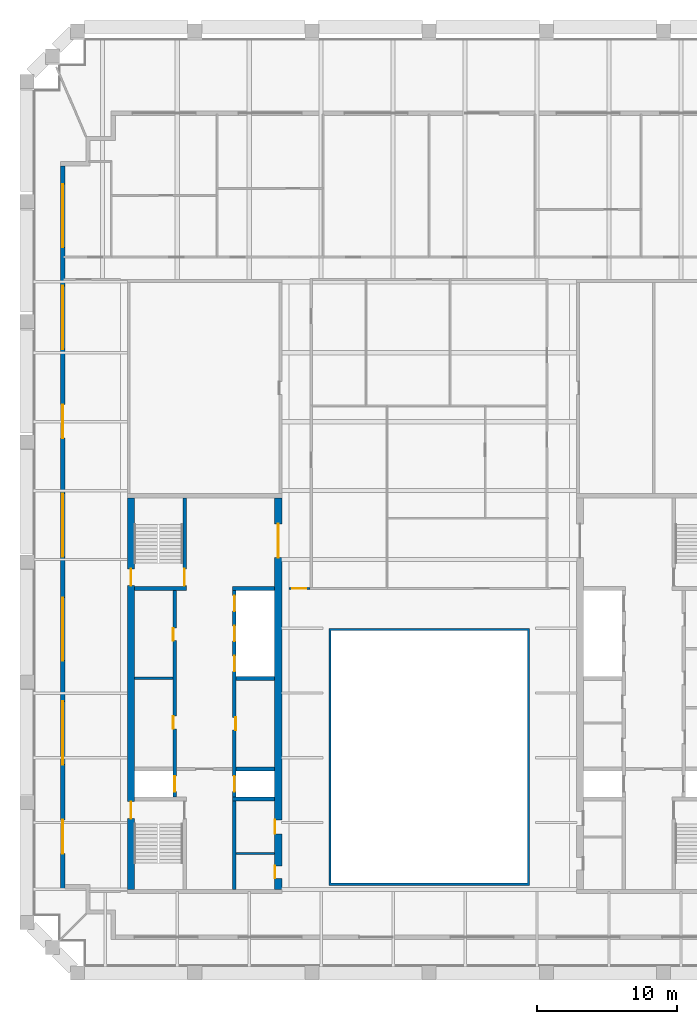
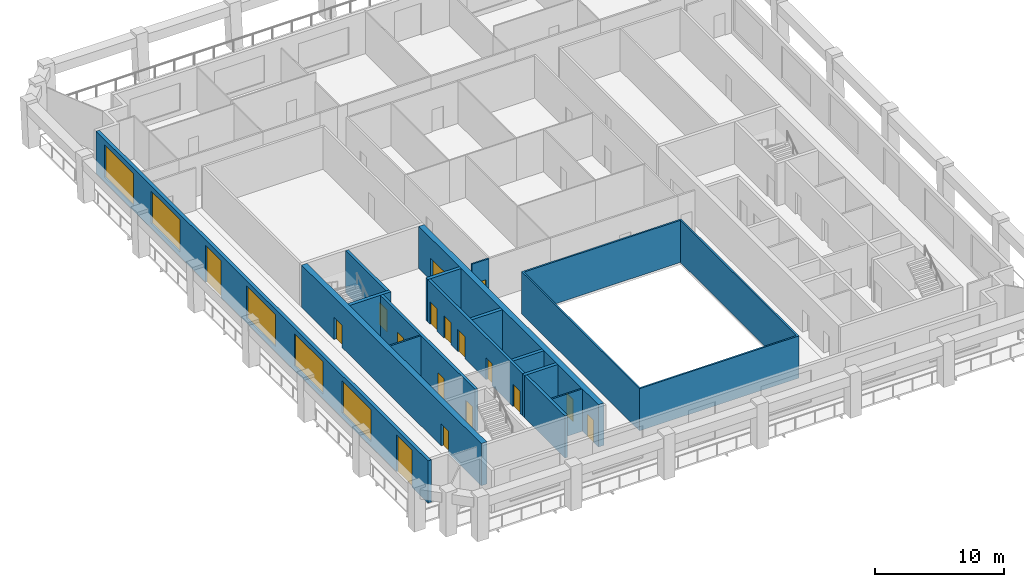
# One storey, part 3 of 8: 17 doors, 15 walls, 5 windows, 22 openings.
"""IFC4 building model written with IfcOpenShell, lengths in metres."""

from ifc_helpers import new_model, si_unit, direction, frame, frame_2d, origin, place, context, subcontext, project, spatial, polyline, rectangle, outline, extrude, material, layer, layer_set, type_object, element, fill, save


model = new_model("IFC4")

# Units and contexts
model_context = context("Model", 3, precision=1e-05, world=origin(), true_north=direction((0.0, 1.0)))
body_context = subcontext(model_context, "Body", "Model", "MODEL_VIEW")
ifc_project = project(units=[si_unit("LENGTHUNIT", "METRE"), si_unit("AREAUNIT", "SQUARE_METRE"), si_unit("VOLUMEUNIT", "CUBIC_METRE"), si_unit("PLANEANGLEUNIT", "RADIAN"), si_unit("MASSUNIT", "GRAM", prefix="KILO")], contexts=[model_context])

# Site, building, storey
site_placement = place(None, origin())
site = spatial("IfcSite", under=ifc_project, at=site_placement, CompositionType="ELEMENT")
building_placement = place(site_placement, origin())
building = spatial("IfcBuilding", under=site, at=building_placement, Name="Ogive Exchange Tower", CompositionType="ELEMENT")
storey_placement = place(building_placement, frame((0.0, 0.0, 338.39990234375)))
storey = spatial("IfcBuildingStorey", under=building, at=storey_placement, Name="L74", CompositionType="ELEMENT", Elevation=338.39990234375)

# Walls
ifc_material_1 = material(Name="Gypsum board partition")
ifc_layer_1 = layer(ifc_material_1, 0.14990234375)
ifc_layer_set_1 = layer_set([ifc_layer_1], Name="Core room partition 150 gypsum")
wall_type_1 = type_object("IfcWallType", Name="Core room partition 150 gypsum", PredefinedType="PARTITIONING", material=ifc_layer_set_1)
for number, where, z_axis, x_axis, name in (
    (1, (-21.0, 12.60009765625, 0.0), (0.0, 0.0, 1.0), (1.0, 0.0, 0.0), "W row A bay partition 1-1"),
    (2, (-13.75, 0.10009765625, 0.0), (0.0, 0.0, 1.0), (1.0, 0.0, 0.0), "W south room partition"),
):
    element("IfcWall", number, at=place(storey_placement, frame(where, z_axis=z_axis, x_axis=x_axis)), inside=storey, type_object=wall_type_1, Name=name, PredefinedType="PARTITIONING", context=body_context, shape_type="SweptSolid", body=[
        extrude(rectangle(XDim=2.75, YDim=0.14990234375, at=frame_2d((1.375, 0.0))), origin(), (0.0, 0.0, 1.0), 4.0),
    ])

# Wall, opening, door
ifc_material_2 = material(Name="Fire partition EI 60 150")
ifc_layer_2 = layer(ifc_material_2, 0.14990234375)
ifc_layer_set_2 = layer_set([ifc_layer_2], Name="Fire partition EI 60 150")
wall_type_2 = type_object("IfcWallType", Name="Fire partition EI 60 150", PredefinedType="PARTITIONING", material=ifc_layer_set_2)
wall_1_placement = place(storey_placement, frame((-10.0, 19.0, 0.0), z_axis=(0.0, 0.0, 1.0), x_axis=(1.0, 0.0, 0.0)))
wall_1 = element("IfcWall", 3, at=wall_1_placement, inside=storey, type_object=wall_type_2, Name="L74-PWL-055", PredefinedType="PARTITIONING", context=body_context, shape_type="SweptSolid", body=[
    extrude(rectangle(XDim=1.514892578125, YDim=0.14990234375, at=frame_2d((0.75732421875, 0.0))), origin(), (0.0, 0.0, 1.0), 4.0),
])
opening_1_placement = place(wall_1_placement, frame((0.258056640625, 0.0, 0.0)))
opening_1 = element("IfcOpeningElement", 4, at=opening_1_placement, cuts=wall_1, Name="Opening L74-I21", PredefinedType="OPENING", context=body_context, shape_type="SweptSolid", body=[
    extrude(rectangle(XDim=1.0, YDim=2.10009765625, at=frame_2d((0.5, 1.050048828125))), frame((0.0, 0.0849609375, 0.0), z_axis=(0.0, -1.0, 0.0), x_axis=(1.0, 0.0, 0.0)), (0.0, 0.0, 1.0), 0.169921875),
])
ifc_material_3 = material(Name="Fire door FD 30S 1000 x 2100")
door_type_1 = type_object("IfcDoorType", Name="Fire door FD 30S 1000 x 2100", OperationType="NOTDEFINED", PredefinedType="DOOR", material=ifc_material_3)
door_1_placement = place(opening_1_placement, origin())
door_1 = element("IfcDoor", 5, at=door_1_placement, inside=storey, type_object=door_type_1, Name="L74-IDR-021", ObjectType="DT3", OperationType="SINGLE_SWING_LEFT", OverallHeight=2.10009765625, OverallWidth=1.0, PredefinedType="DOOR", context=body_context, shape_type="SweptSolid", body=[
    extrude(rectangle(XDim=1.0, YDim=2.10009765625, at=frame_2d((0.5, 1.050048828125))), frame((0.0, 0.02490234375, 0.0), z_axis=(0.0, -1.0, 0.0), x_axis=(1.0, 0.0, 0.0)), (0.0, 0.0, 1.0), 0.050048828125),
])
fill(opening_1, door_1)

# Wall
ifc_material_4 = material(Name="Fire-resisting glass in steel frame", Category="steel")
ifc_layer_3 = layer(ifc_material_4, 0.14990234375)
ifc_layer_set_3 = layer_set([ifc_layer_3], Name="Fire-rated glazed wall 150")
wall_type_3 = type_object("IfcWallType", Name="Fire-rated glazed wall 150", PredefinedType="STANDARD", material=ifc_layer_set_3)
wall_2_placement = place(storey_placement, origin())
element("IfcWall", 6, at=wall_2_placement, inside=storey, type_object=wall_type_3, Name="Nave enclosure wall", PredefinedType="STANDARD", context=body_context, shape_type="SweptSolid", body=[
    extrude(outline(polyline([(-7.14990234375, -2.14990234375), (7.14990234375, -2.14990234375), (7.14990234375, 16.14990234375), (-7.14990234375, 16.14990234375), (-7.14990234375, -2.14990234375)]), holes=[polyline([(-7.0, -2.0), (-7.0, 16.0), (7.0, 16.0), (7.0, -2.0), (-7.0, -2.0)])]), origin(), (0.0, 0.0, 1.0), 4.0),
])

# Wall, openings, doors, windows
ifc_material_5 = material(Name="Precast concrete C40/50", Category="concrete")
ifc_layer_4 = layer(ifc_material_5, 0.300048828125)
ifc_layer_set_4 = layer_set([ifc_layer_4], Name="Limestone-faced wall 300")
wall_type_4 = type_object("IfcWallType", Name="Limestone-faced wall 300", PredefinedType="STANDARD", material=ifc_layer_set_4)
wall_3_placement = place(storey_placement, frame((-26.10009765625, 49.10009765625, 0.0), z_axis=(0.0, 0.0, 1.0), x_axis=(0.0, -1.0, 0.0)))
wall_3 = element("IfcWall", 7, at=wall_3_placement, inside=storey, type_object=wall_type_4, Name="External wall W4", PredefinedType="STANDARD", context=body_context, shape_type="SweptSolid", body=[
    extrude(rectangle(XDim=51.5, YDim=0.300048828125, at=frame_2d((25.75, 0.0))), origin(), (0.0, 0.0, 1.0), 4.0),
])
opening_2_placement = place(wall_3_placement, frame((1.300048828125, 0.0, 0.449951171875)))
opening_2 = element("IfcOpeningElement", 8, at=opening_2_placement, cuts=wall_3, Name="Opening W1", PredefinedType="OPENING", context=body_context, shape_type="SweptSolid", body=[
    extrude(rectangle(XDim=4.5, YDim=3.050048828125, at=frame_2d((2.25, 1.52490234375))), frame((0.0, 0.159912109375, 0.0), z_axis=(0.0, -1.0, 0.0), x_axis=(1.0, 0.0, 0.0)), (0.0, 0.0, 1.0), 0.320068359375),
])
opening_3_placement = place(wall_3_placement, frame((8.550048828125, 0.0, 0.449951171875)))
opening_3 = element("IfcOpeningElement", 9, at=opening_3_placement, cuts=wall_3, Name="Opening W1", PredefinedType="OPENING", context=body_context, shape_type="SweptSolid", body=[
    extrude(rectangle(XDim=4.5, YDim=3.050048828125, at=frame_2d((2.25, 1.52490234375))), frame((0.0, 0.159912109375, 0.0), z_axis=(0.0, -1.0, 0.0), x_axis=(1.0, 0.0, 0.0)), (0.0, 0.0, 1.0), 0.320068359375),
])
opening_4_placement = place(wall_3_placement, frame((17.0, 0.0, 0.0)))
opening_4 = element("IfcOpeningElement", 10, at=opening_4_placement, cuts=wall_3, Name="Opening D1", PredefinedType="OPENING", context=body_context, shape_type="SweptSolid", body=[
    extrude(rectangle(XDim=2.39990234375, YDim=3.5, at=frame_2d((1.199951171875, 1.75))), frame((0.0, 0.159912109375, 0.0), z_axis=(0.0, -1.0, 0.0), x_axis=(1.0, 0.0, 0.0)), (0.0, 0.0, 1.0), 0.320068359375),
])
opening_5_placement = place(wall_3_placement, frame((23.35009765625, 0.0, 0.449951171875)))
opening_5 = element("IfcOpeningElement", 11, at=opening_5_placement, cuts=wall_3, Name="Opening W1", PredefinedType="OPENING", context=body_context, shape_type="SweptSolid", body=[
    extrude(rectangle(XDim=4.5, YDim=3.050048828125, at=frame_2d((2.25, 1.52490234375))), frame((0.0, 0.159912109375, 0.0), z_axis=(0.0, -1.0, 0.0), x_axis=(1.0, 0.0, 0.0)), (0.0, 0.0, 1.0), 0.320068359375),
])
opening_6_placement = place(wall_3_placement, frame((30.75, 0.0, 0.449951171875)))
opening_6 = element("IfcOpeningElement", 12, at=opening_6_placement, cuts=wall_3, Name="Opening W1", PredefinedType="OPENING", context=body_context, shape_type="SweptSolid", body=[
    extrude(rectangle(XDim=4.5, YDim=3.050048828125, at=frame_2d((2.25, 1.52490234375))), frame((0.0, 0.159912109375, 0.0), z_axis=(0.0, -1.0, 0.0), x_axis=(1.0, 0.0, 0.0)), (0.0, 0.0, 1.0), 0.320068359375),
])
opening_7_placement = place(wall_3_placement, frame((38.14990234375, 0.0, 0.449951171875)))
opening_7 = element("IfcOpeningElement", 13, at=opening_7_placement, cuts=wall_3, Name="Opening W1", PredefinedType="OPENING", context=body_context, shape_type="SweptSolid", body=[
    extrude(rectangle(XDim=4.5, YDim=3.050048828125, at=frame_2d((2.25, 1.52490234375))), frame((0.0, 0.159912109375, 0.0), z_axis=(0.0, -1.0, 0.0), x_axis=(1.0, 0.0, 0.0)), (0.0, 0.0, 1.0), 0.320068359375),
])
opening_8_placement = place(wall_3_placement, frame((46.60009765625, 0.0, 0.0)))
opening_8 = element("IfcOpeningElement", 14, at=opening_8_placement, cuts=wall_3, Name="Opening D1", PredefinedType="OPENING", context=body_context, shape_type="SweptSolid", body=[
    extrude(rectangle(XDim=2.39990234375, YDim=3.5, at=frame_2d((1.199951171875, 1.75))), frame((0.0, 0.159912109375, 0.0), z_axis=(0.0, -1.0, 0.0), x_axis=(1.0, 0.0, 0.0)), (0.0, 0.0, 1.0), 0.320068359375),
])
ifc_material_6 = material(Name="Clear glass in bronze frame", Category="glass")
door_type_2 = type_object("IfcDoorType", Name="Sliding loggia door 2400 x 3500", OperationType="DOUBLE_DOOR_SLIDING", PredefinedType="DOOR", material=ifc_material_6)
door_2_placement = place(opening_4_placement, origin())
door_2 = element("IfcDoor", 15, at=door_2_placement, inside=storey, type_object=door_type_2, Name="Loggia door W02", OperationType="DOUBLE_DOOR_SLIDING", OverallHeight=3.5, OverallWidth=2.39990234375, PredefinedType="DOOR", context=body_context, shape_type="SweptSolid", body=[
    extrude(rectangle(XDim=2.39990234375, YDim=3.5, at=frame_2d((1.199951171875, 1.75))), frame((0.0, 0.02490234375, 0.0), z_axis=(0.0, -1.0, 0.0), x_axis=(1.0, 0.0, 0.0)), (0.0, 0.0, 1.0), 0.050048828125),
])
fill(opening_4, door_2)
door_3_placement = place(opening_8_placement, origin())
door_3 = element("IfcDoor", 16, at=door_3_placement, inside=storey, type_object=door_type_2, Name="Loggia door W06", OperationType="DOUBLE_DOOR_SLIDING", OverallHeight=3.5, OverallWidth=2.39990234375, PredefinedType="DOOR", context=body_context, shape_type="SweptSolid", body=[
    extrude(rectangle(XDim=2.39990234375, YDim=3.5, at=frame_2d((1.199951171875, 1.75))), frame((0.0, 0.02490234375, 0.0), z_axis=(0.0, -1.0, 0.0), x_axis=(1.0, 0.0, 0.0)), (0.0, 0.0, 1.0), 0.050048828125),
])
fill(opening_8, door_3)
window_type = type_object("IfcWindowType", Name="Twin lancet window 4500 x 3050", PartitioningType="DOUBLE_PANEL_VERTICAL", PredefinedType="WINDOW", material=ifc_material_6)
window_1_placement = place(opening_2_placement, origin())
window_1 = element("IfcWindow", 17, at=window_1_placement, inside=storey, type_object=window_type, Name="Window W00", OverallHeight=3.050048828125, OverallWidth=4.5, PartitioningType="DOUBLE_PANEL_VERTICAL", PredefinedType="WINDOW", context=body_context, shape_type="SweptSolid", body=[
    extrude(rectangle(XDim=4.5, YDim=3.050048828125, at=frame_2d((2.25, 1.52490234375))), frame((0.0, 0.030029296875, 0.0), z_axis=(0.0, -1.0, 0.0), x_axis=(1.0, 0.0, 0.0)), (0.0, 0.0, 1.0), 0.06005859375),
])
fill(opening_2, window_1)
window_2_placement = place(opening_3_placement, origin())
window_2 = element("IfcWindow", 18, at=window_2_placement, inside=storey, type_object=window_type, Name="Window W01", OverallHeight=3.050048828125, OverallWidth=4.5, PartitioningType="DOUBLE_PANEL_VERTICAL", PredefinedType="WINDOW", context=body_context, shape_type="SweptSolid", body=[
    extrude(rectangle(XDim=4.5, YDim=3.050048828125, at=frame_2d((2.25, 1.52490234375))), frame((0.0, 0.030029296875, 0.0), z_axis=(0.0, -1.0, 0.0), x_axis=(1.0, 0.0, 0.0)), (0.0, 0.0, 1.0), 0.06005859375),
])
fill(opening_3, window_2)
window_3_placement = place(opening_5_placement, origin())
window_3 = element("IfcWindow", 19, at=window_3_placement, inside=storey, type_object=window_type, Name="Window W03", OverallHeight=3.050048828125, OverallWidth=4.5, PartitioningType="DOUBLE_PANEL_VERTICAL", PredefinedType="WINDOW", context=body_context, shape_type="SweptSolid", body=[
    extrude(rectangle(XDim=4.5, YDim=3.050048828125, at=frame_2d((2.25, 1.52490234375))), frame((0.0, 0.030029296875, 0.0), z_axis=(0.0, -1.0, 0.0), x_axis=(1.0, 0.0, 0.0)), (0.0, 0.0, 1.0), 0.06005859375),
])
fill(opening_5, window_3)
window_4_placement = place(opening_6_placement, origin())
window_4 = element("IfcWindow", 20, at=window_4_placement, inside=storey, type_object=window_type, Name="Window W04", OverallHeight=3.050048828125, OverallWidth=4.5, PartitioningType="DOUBLE_PANEL_VERTICAL", PredefinedType="WINDOW", context=body_context, shape_type="SweptSolid", body=[
    extrude(rectangle(XDim=4.5, YDim=3.050048828125, at=frame_2d((2.25, 1.52490234375))), frame((0.0, 0.030029296875, 0.0), z_axis=(0.0, -1.0, 0.0), x_axis=(1.0, 0.0, 0.0)), (0.0, 0.0, 1.0), 0.06005859375),
])
fill(opening_6, window_4)
window_5_placement = place(opening_7_placement, origin())
window_5 = element("IfcWindow", 21, at=window_5_placement, inside=storey, type_object=window_type, Name="Window W05", OverallHeight=3.050048828125, OverallWidth=4.5, PartitioningType="DOUBLE_PANEL_VERTICAL", PredefinedType="WINDOW", context=body_context, shape_type="SweptSolid", body=[
    extrude(rectangle(XDim=4.5, YDim=3.050048828125, at=frame_2d((2.25, 1.52490234375))), frame((0.0, 0.030029296875, 0.0), z_axis=(0.0, -1.0, 0.0), x_axis=(1.0, 0.0, 0.0)), (0.0, 0.0, 1.0), 0.06005859375),
])
fill(opening_7, window_5)

# Wall, opening, door
ifc_material_7 = material(Name="Concrete C70/85", Category="concrete")
ifc_layer_5 = layer(ifc_material_7, 0.25)
ifc_layer_set_5 = layer_set([ifc_layer_5], Name="RC core wall 250 C70/85")
wall_type_5 = type_object("IfcWallType", Name="RC core wall 250 C70/85", PredefinedType="SHEAR", material=ifc_layer_set_5)
wall_4_placement = place(storey_placement, frame((-17.425048828125, 19.14990234375, 0.0), z_axis=(0.0, 0.0, 1.0), x_axis=(0.0, 1.0, 0.0)))
wall_4 = element("IfcWall", 22, at=wall_4_placement, inside=storey, type_object=wall_type_5, Name="W stair N front wall", PredefinedType="SHEAR", context=body_context, shape_type="SweptSolid", body=[
    extrude(rectangle(XDim=6.300048828125, YDim=0.25, at=frame_2d((3.14990234375, 0.0))), origin(), (0.0, 0.0, 1.0), 4.0),
])
opening_9_placement = place(wall_4_placement, frame((0.050048828125, 0.0, 0.0)))
opening_9 = element("IfcOpeningElement", 23, at=opening_9_placement, cuts=wall_4, Name="Opening L74-C13", PredefinedType="OPENING", context=body_context, shape_type="SweptSolid", body=[
    extrude(rectangle(XDim=1.199951171875, YDim=2.10009765625, at=frame_2d((0.60009765625, 1.050048828125))), frame((0.0, 0.135009765625, 0.0), z_axis=(0.0, -1.0, 0.0), x_axis=(1.0, 0.0, 0.0)), (0.0, 0.0, 1.0), 0.27001953125),
])
ifc_material_8 = material(Name="Steel fire door", Category="steel")
door_type_3 = type_object("IfcDoorType", Name="Stair door FD90 1200 x 2100", OperationType="NOTDEFINED", PredefinedType="DOOR", material=ifc_material_8)
door_4_placement = place(opening_9_placement, origin())
door_4 = element("IfcDoor", 24, at=door_4_placement, inside=storey, type_object=door_type_3, Name="Stair door", ObjectType="CD5", OperationType="SINGLE_SWING_RIGHT", OverallHeight=2.10009765625, OverallWidth=1.199951171875, PredefinedType="DOOR", context=body_context, shape_type="SweptSolid", body=[
    extrude(rectangle(XDim=1.199951171875, YDim=2.10009765625, at=frame_2d((0.60009765625, 1.050048828125))), frame((0.0, 0.02490234375, 0.0), z_axis=(0.0, -1.0, 0.0), x_axis=(1.0, 0.0, 0.0)), (0.0, 0.0, 1.0), 0.050048828125),
])
fill(opening_9, door_4)

# Wall, openings, doors
wall_5_placement = place(storey_placement, frame((-18.125, 4.14990234375, 0.0), z_axis=(0.0, 0.0, 1.0), x_axis=(0.0, 1.0, 0.0)))
wall_5 = element("IfcWall", 25, at=wall_5_placement, inside=storey, type_object=wall_type_5, Name="W row A front wall", PredefinedType="SHEAR", context=body_context, shape_type="SweptSolid", body=[
    extrude(rectangle(XDim=14.7001953125, YDim=0.25, at=frame_2d((7.35009765625, 0.0))), origin(), (0.0, 0.0, 1.0), 4.0),
])
opening_10_placement = place(wall_5_placement, frame((4.846435546875, 0.0, 0.0)))
opening_10 = element("IfcOpeningElement", 26, at=opening_10_placement, cuts=wall_5, Name="Opening L74-C01", PredefinedType="OPENING", context=body_context, shape_type="SweptSolid", body=[
    extrude(rectangle(XDim=0.89990234375, YDim=2.10009765625, at=frame_2d((0.449951171875, 1.050048828125))), frame((0.0, 0.135009765625, 0.0), z_axis=(0.0, -1.0, 0.0), x_axis=(1.0, 0.0, 0.0)), (0.0, 0.0, 1.0), 0.27001953125),
])
opening_11_placement = place(wall_5_placement, frame((11.125, 0.0, 0.0)))
opening_11 = element("IfcOpeningElement", 27, at=opening_11_placement, cuts=wall_5, Name="Opening L74-C02", PredefinedType="OPENING", context=body_context, shape_type="SweptSolid", body=[
    extrude(rectangle(XDim=0.89990234375, YDim=2.10009765625, at=frame_2d((0.449951171875, 1.050048828125))), frame((0.0, 0.135009765625, 0.0), z_axis=(0.0, -1.0, 0.0), x_axis=(1.0, 0.0, 0.0)), (0.0, 0.0, 1.0), 0.27001953125),
])
opening_12_placement = place(wall_5_placement, frame((0.371337890625, 0.0, 0.0)))
opening_12 = element("IfcOpeningElement", 28, at=opening_12_placement, cuts=wall_5, Name="Opening L74-C03", PredefinedType="OPENING", context=body_context, shape_type="SweptSolid", body=[
    extrude(rectangle(XDim=1.10009765625, YDim=2.10009765625, at=frame_2d((0.550048828125, 1.050048828125))), frame((0.0, 0.135009765625, 0.0), z_axis=(0.0, -1.0, 0.0), x_axis=(1.0, 0.0, 0.0)), (0.0, 0.0, 1.0), 0.27001953125),
])
ifc_material_9 = material(Name="Stainless steel", Category="steel")
door_type_4 = type_object("IfcDoorType", Name="Lift landing door FD90 1100 x 2100", OperationType="SLIDING_TO_LEFT", PredefinedType="DOOR", material=ifc_material_9)
door_5_placement = place(opening_12_placement, origin())
door_5 = element("IfcDoor", 29, at=door_5_placement, inside=storey, type_object=door_type_4, Name="Lift landing door FF1", ObjectType="LD", OperationType="SLIDING_TO_LEFT", OverallHeight=2.10009765625, OverallWidth=1.10009765625, PredefinedType="DOOR", context=body_context, shape_type="SweptSolid", body=[
    extrude(rectangle(XDim=1.10009765625, YDim=2.10009765625, at=frame_2d((0.550048828125, 1.050048828125))), frame((0.0, 0.02490234375, 0.0), z_axis=(0.0, -1.0, 0.0), x_axis=(1.0, 0.0, 0.0)), (0.0, 0.0, 1.0), 0.050048828125),
])
fill(opening_12, door_5)
door_type_5 = type_object("IfcDoorType", Name="Riser door FD60 900 x 2100", OperationType="NOTDEFINED", PredefinedType="DOOR", material=ifc_material_8)
door_6_placement = place(opening_10_placement, origin())
door_6 = element("IfcDoor", 30, at=door_6_placement, inside=storey, type_object=door_type_5, Name="Riser door", ObjectType="CD2", OperationType="SINGLE_SWING_LEFT", OverallHeight=2.10009765625, OverallWidth=0.89990234375, PredefinedType="DOOR", context=body_context, shape_type="SweptSolid", body=[
    extrude(rectangle(XDim=0.89990234375, YDim=2.10009765625, at=frame_2d((0.449951171875, 1.050048828125))), frame((0.0, 0.125, 0.0), z_axis=(0.0, -1.0, 0.0), x_axis=(1.0, 0.0, 0.0)), (0.0, 0.0, 1.0), 0.050048828125),
])
fill(opening_10, door_6)
door_7_placement = place(opening_11_placement, origin())
door_7 = element("IfcDoor", 31, at=door_7_placement, inside=storey, type_object=door_type_5, Name="Riser door", ObjectType="CD2", OperationType="SINGLE_SWING_LEFT", OverallHeight=2.10009765625, OverallWidth=0.89990234375, PredefinedType="DOOR", context=body_context, shape_type="SweptSolid", body=[
    extrude(rectangle(XDim=0.89990234375, YDim=2.10009765625, at=frame_2d((0.449951171875, 1.050048828125))), frame((0.0, 0.125, 0.0), z_axis=(0.0, -1.0, 0.0), x_axis=(1.0, 0.0, 0.0)), (0.0, 0.0, 1.0), 0.050048828125),
])
fill(opening_11, door_7)

wall_6_placement = place(storey_placement, frame((-13.875, -2.449951171875, 0.0), z_axis=(0.0, 0.0, 1.0), x_axis=(0.0, 1.0, 0.0)))
wall_6 = element("IfcWall", 32, at=wall_6_placement, inside=storey, type_object=wall_type_5, Name="W row B front wall", PredefinedType="SHEAR", context=body_context, shape_type="SweptSolid", body=[
    extrude(rectangle(XDim=21.300048828125, YDim=0.25, at=frame_2d((10.64990234375, 0.0))), origin(), (0.0, 0.0, 1.0), 4.0),
])
opening_13_placement = place(wall_6_placement, frame((11.357177734375, 0.0, 0.0)))
opening_13 = element("IfcOpeningElement", 33, at=opening_13_placement, cuts=wall_6, Name="Opening L74-C04", PredefinedType="OPENING", context=body_context, shape_type="SweptSolid", body=[
    extrude(rectangle(XDim=0.89990234375, YDim=2.10009765625, at=frame_2d((0.449951171875, 1.050048828125))), frame((0.0, 0.135009765625, 0.0), z_axis=(0.0, -1.0, 0.0), x_axis=(1.0, 0.0, 0.0)), (0.0, 0.0, 1.0), 0.27001953125),
])
opening_14_placement = place(wall_6_placement, frame((6.971435546875, 0.0, 0.0)))
opening_14 = element("IfcOpeningElement", 34, at=opening_14_placement, cuts=wall_6, Name="Opening L74-C05", PredefinedType="OPENING", context=body_context, shape_type="SweptSolid", body=[
    extrude(rectangle(XDim=1.10009765625, YDim=2.10009765625, at=frame_2d((0.550048828125, 1.050048828125))), frame((0.0, 0.135009765625, 0.0), z_axis=(0.0, -1.0, 0.0), x_axis=(1.0, 0.0, 0.0)), (0.0, 0.0, 1.0), 0.27001953125),
])
opening_15_placement = place(wall_6_placement, frame((15.54296875, 0.0, 0.0)))
opening_15 = element("IfcOpeningElement", 35, at=opening_15_placement, cuts=wall_6, Name="Opening L74-C06", PredefinedType="OPENING", context=body_context, shape_type="SweptSolid", body=[
    extrude(rectangle(XDim=1.10009765625, YDim=2.10009765625, at=frame_2d((0.550048828125, 1.050048828125))), frame((0.0, 0.135009765625, 0.0), z_axis=(0.0, -1.0, 0.0), x_axis=(1.0, 0.0, 0.0)), (0.0, 0.0, 1.0), 0.27001953125),
])
opening_16_placement = place(wall_6_placement, frame((17.685791015625, 0.0, 0.0)))
opening_16 = element("IfcOpeningElement", 36, at=opening_16_placement, cuts=wall_6, Name="Opening L74-C07", PredefinedType="OPENING", context=body_context, shape_type="SweptSolid", body=[
    extrude(rectangle(XDim=1.10009765625, YDim=2.10009765625, at=frame_2d((0.550048828125, 1.050048828125))), frame((0.0, 0.135009765625, 0.0), z_axis=(0.0, -1.0, 0.0), x_axis=(1.0, 0.0, 0.0)), (0.0, 0.0, 1.0), 0.27001953125),
])
opening_17_placement = place(wall_6_placement, frame((19.82861328125, 0.0, 0.0)))
opening_17 = element("IfcOpeningElement", 37, at=opening_17_placement, cuts=wall_6, Name="Opening L74-C08", PredefinedType="OPENING", context=body_context, shape_type="SweptSolid", body=[
    extrude(rectangle(XDim=1.10009765625, YDim=2.10009765625, at=frame_2d((0.550048828125, 1.050048828125))), frame((0.0, 0.135009765625, 0.0), z_axis=(0.0, -1.0, 0.0), x_axis=(1.0, 0.0, 0.0)), (0.0, 0.0, 1.0), 0.27001953125),
])
door_8_placement = place(opening_14_placement, origin())
door_8 = element("IfcDoor", 38, at=door_8_placement, inside=storey, type_object=door_type_4, Name="Lift landing door SV1", ObjectType="LD", OperationType="SLIDING_TO_LEFT", OverallHeight=2.10009765625, OverallWidth=1.10009765625, PredefinedType="DOOR", context=body_context, shape_type="SweptSolid", body=[
    extrude(rectangle(XDim=1.10009765625, YDim=2.10009765625, at=frame_2d((0.550048828125, 1.050048828125))), frame((0.0, 0.02490234375, 0.0), z_axis=(0.0, -1.0, 0.0), x_axis=(1.0, 0.0, 0.0)), (0.0, 0.0, 1.0), 0.050048828125),
])
fill(opening_14, door_8)
door_9_placement = place(opening_15_placement, origin())
door_9 = element("IfcDoor", 39, at=door_9_placement, inside=storey, type_object=door_type_4, Name="Lift landing door W-H1", ObjectType="LD", OperationType="SLIDING_TO_LEFT", OverallHeight=2.10009765625, OverallWidth=1.10009765625, PredefinedType="DOOR", context=body_context, shape_type="SweptSolid", body=[
    extrude(rectangle(XDim=1.10009765625, YDim=2.10009765625, at=frame_2d((0.550048828125, 1.050048828125))), frame((0.0, 0.02490234375, 0.0), z_axis=(0.0, -1.0, 0.0), x_axis=(1.0, 0.0, 0.0)), (0.0, 0.0, 1.0), 0.050048828125),
])
fill(opening_15, door_9)
door_10_placement = place(opening_16_placement, origin())
door_10 = element("IfcDoor", 40, at=door_10_placement, inside=storey, type_object=door_type_4, Name="Lift landing door W-H2", ObjectType="LD", OperationType="SLIDING_TO_LEFT", OverallHeight=2.10009765625, OverallWidth=1.10009765625, PredefinedType="DOOR", context=body_context, shape_type="SweptSolid", body=[
    extrude(rectangle(XDim=1.10009765625, YDim=2.10009765625, at=frame_2d((0.550048828125, 1.050048828125))), frame((0.0, 0.02490234375, 0.0), z_axis=(0.0, -1.0, 0.0), x_axis=(1.0, 0.0, 0.0)), (0.0, 0.0, 1.0), 0.050048828125),
])
fill(opening_16, door_10)
door_11_placement = place(opening_17_placement, origin())
door_11 = element("IfcDoor", 41, at=door_11_placement, inside=storey, type_object=door_type_4, Name="Lift landing door W-H3", ObjectType="LD", OperationType="SLIDING_TO_LEFT", OverallHeight=2.10009765625, OverallWidth=1.10009765625, PredefinedType="DOOR", context=body_context, shape_type="SweptSolid", body=[
    extrude(rectangle(XDim=1.10009765625, YDim=2.10009765625, at=frame_2d((0.550048828125, 1.050048828125))), frame((0.0, 0.02490234375, 0.0), z_axis=(0.0, -1.0, 0.0), x_axis=(1.0, 0.0, 0.0)), (0.0, 0.0, 1.0), 0.050048828125),
])
fill(opening_17, door_11)
door_12_placement = place(opening_13_placement, frame((0.89990234375, -0.2001953125, 0.0), z_axis=(0.0, 0.0, 1.0), x_axis=(-1.0, 0.0, 0.0)))
door_12 = element("IfcDoor", 42, at=door_12_placement, inside=storey, type_object=door_type_5, Name="Riser door", ObjectType="CD2", OperationType="SINGLE_SWING_LEFT", OverallHeight=2.10009765625, OverallWidth=0.89990234375, PredefinedType="DOOR", context=body_context, shape_type="SweptSolid", body=[
    extrude(rectangle(XDim=0.89990234375, YDim=2.10009765625, at=frame_2d((0.449951171875, 1.050048828125))), frame((0.0, -0.0751953125, 0.0), z_axis=(0.0, -1.0, 0.0), x_axis=(1.0, 0.0, 0.0)), (0.0, 0.0, 1.0), 0.050048828125),
])
fill(opening_13, door_12)

# Walls
ifc_layer_6 = layer(ifc_material_7, 0.300048828125)
ifc_layer_set_6 = layer_set([ifc_layer_6], Name="RC core wall 300 C70/85")
wall_type_6 = type_object("IfcWallType", Name="RC core wall 300 C70/85", PredefinedType="SHEAR", material=ifc_layer_set_6)
wall_7_placement = place(storey_placement, frame((-21.0, 19.0, 0.0), z_axis=(0.0, 0.0, 1.0), x_axis=(1.0, 0.0, 0.0)))
element("IfcWall", 43, at=wall_7_placement, inside=storey, type_object=wall_type_6, Name="W stair N south wall", PredefinedType="SHEAR", context=body_context, shape_type="SweptSolid", body=[
    extrude(rectangle(XDim=3.699951171875, YDim=0.300048828125, at=frame_2d((1.85009765625, 0.0))), origin(), (0.0, 0.0, 1.0), 4.0),
])
wall_8_placement = place(storey_placement, frame((-14.0, 4.0, 0.0), z_axis=(0.0, 0.0, 1.0), x_axis=(1.0, 0.0, 0.0)))
element("IfcWall", 44, at=wall_8_placement, inside=storey, type_object=wall_type_6, Name="W row B divider 0", PredefinedType="SHEAR", context=body_context, shape_type="SweptSolid", body=[
    extrude(rectangle(XDim=3.0, YDim=0.300048828125, at=frame_2d((1.5, 0.0))), origin(), (0.0, 0.0, 1.0), 4.0),
])
for number, where, z_axis, x_axis, name in (
    (45, (-13.75, 6.142822265625, 0.0), (0.0, 0.0, 1.0), (1.0, 0.0, 0.0), "W row B divider 1"),
    (46, (-13.75, 12.5712890625, 0.0), (0.0, 0.0, 1.0), (1.0, 0.0, 0.0), "W row B divider 4"),
):
    element("IfcWall", number, at=place(storey_placement, frame(where, z_axis=z_axis, x_axis=x_axis)), inside=storey, type_object=wall_type_6, Name=name, PredefinedType="SHEAR", context=body_context, shape_type="SweptSolid", body=[
        extrude(rectangle(XDim=2.75, YDim=0.300048828125, at=frame_2d((1.375, 0.0))), origin(), (0.0, 0.0, 1.0), 4.0),
    ])
wall_9_placement = place(storey_placement, frame((-14.0, 19.0, 0.0), z_axis=(0.0, 0.0, 1.0), x_axis=(1.0, 0.0, 0.0)))
element("IfcWall", 47, at=wall_9_placement, inside=storey, type_object=wall_type_6, Name="W row B divider 7", PredefinedType="SHEAR", context=body_context, shape_type="SweptSolid", body=[
    extrude(rectangle(XDim=3.0, YDim=0.300048828125, at=frame_2d((1.5, 0.0))), origin(), (0.0, 0.0, 1.0), 4.0),
])

# Wall, openings, doors
ifc_layer_7 = layer(ifc_material_7, 0.5)
ifc_layer_set_7 = layer_set([ifc_layer_7], Name="RC core wall 500 C70/85")
wall_type_7 = type_object("IfcWallType", Name="RC core wall 500 C70/85", PredefinedType="SHEAR", material=ifc_layer_set_7)
wall_10_placement = place(storey_placement, frame((-21.25, -2.449951171875, 0.0), z_axis=(0.0, 0.0, 1.0), x_axis=(0.0, 1.0, 0.0)))
wall_10 = element("IfcWall", 48, at=wall_10_placement, inside=storey, type_object=wall_type_7, Name="W outer wall", PredefinedType="SHEAR", context=body_context, shape_type="SweptSolid", body=[
    extrude(rectangle(XDim=27.89990234375, YDim=0.5, at=frame_2d((13.949951171875, 0.0))), origin(), (0.0, 0.0, 1.0), 4.0),
])
opening_18_placement = place(wall_10_placement, frame((5.050048828125, 0.0, 0.0)))
opening_18 = element("IfcOpeningElement", 49, at=opening_18_placement, cuts=wall_10, Name="Opening L74-C12", PredefinedType="OPENING", context=body_context, shape_type="SweptSolid", body=[
    extrude(rectangle(XDim=1.199951171875, YDim=2.10009765625, at=frame_2d((0.60009765625, 1.050048828125))), frame((0.0, 0.260009765625, 0.0), z_axis=(0.0, -1.0, 0.0), x_axis=(1.0, 0.0, 0.0)), (0.0, 0.0, 1.0), 0.52001953125),
])
opening_19_placement = place(wall_10_placement, frame((21.64990234375, 0.0, 0.0)))
opening_19 = element("IfcOpeningElement", 50, at=opening_19_placement, cuts=wall_10, Name="Opening L74-C14", PredefinedType="OPENING", context=body_context, shape_type="SweptSolid", body=[
    extrude(rectangle(XDim=1.199951171875, YDim=2.10009765625, at=frame_2d((0.60009765625, 1.050048828125))), frame((0.0, 0.260009765625, 0.0), z_axis=(0.0, -1.0, 0.0), x_axis=(1.0, 0.0, 0.0)), (0.0, 0.0, 1.0), 0.52001953125),
])
door_13_placement = place(opening_18_placement, origin())
door_13 = element("IfcDoor", 51, at=door_13_placement, inside=storey, type_object=door_type_3, Name="Stair door", ObjectType="CD5", OperationType="SINGLE_SWING_RIGHT", OverallHeight=2.10009765625, OverallWidth=1.199951171875, PredefinedType="DOOR", context=body_context, shape_type="SweptSolid", body=[
    extrude(rectangle(XDim=1.199951171875, YDim=2.10009765625, at=frame_2d((0.60009765625, 1.050048828125))), frame((0.0, 0.02490234375, 0.0), z_axis=(0.0, -1.0, 0.0), x_axis=(1.0, 0.0, 0.0)), (0.0, 0.0, 1.0), 0.050048828125),
])
fill(opening_18, door_13)
door_14_placement = place(opening_19_placement, origin())
door_14 = element("IfcDoor", 52, at=door_14_placement, inside=storey, type_object=door_type_3, Name="Stair door", ObjectType="CD5", OperationType="SINGLE_SWING_LEFT", OverallHeight=2.10009765625, OverallWidth=1.199951171875, PredefinedType="DOOR", context=body_context, shape_type="SweptSolid", body=[
    extrude(rectangle(XDim=1.199951171875, YDim=2.10009765625, at=frame_2d((0.60009765625, 1.050048828125))), frame((0.0, 0.02490234375, 0.0), z_axis=(0.0, -1.0, 0.0), x_axis=(1.0, 0.0, 0.0)), (0.0, 0.0, 1.0), 0.050048828125),
])
fill(opening_19, door_14)

wall_11_placement = place(storey_placement, frame((-10.75, -2.449951171875, 0.0), z_axis=(0.0, 0.0, 1.0), x_axis=(0.0, 1.0, 0.0)))
wall_11 = element("IfcWall", 53, at=wall_11_placement, inside=storey, type_object=wall_type_7, Name="W inner wall", PredefinedType="SHEAR", context=body_context, shape_type="SweptSolid", body=[
    extrude(rectangle(XDim=27.89990234375, YDim=0.5, at=frame_2d((13.949951171875, 0.0))), origin(), (0.0, 0.0, 1.0), 4.0),
])
opening_20_placement = place(wall_11_placement, frame((23.64990234375, 0.0, 0.0)))
opening_20 = element("IfcOpeningElement", 54, at=opening_20_placement, cuts=wall_11, Name="Opening L74-C10", PredefinedType="OPENING", context=body_context, shape_type="SweptSolid", body=[
    extrude(rectangle(XDim=2.39990234375, YDim=2.10009765625, at=frame_2d((1.199951171875, 1.050048828125))), frame((0.0, 0.260009765625, 0.0), z_axis=(0.0, -1.0, 0.0), x_axis=(1.0, 0.0, 0.0)), (0.0, 0.0, 1.0), 0.52001953125),
])
opening_21_placement = place(wall_11_placement, frame((0.78759765625, 0.0, 0.0)))
opening_21 = element("IfcOpeningElement", 55, at=opening_21_placement, cuts=wall_11, Name="Opening L74-C15", PredefinedType="OPENING", context=body_context, shape_type="SweptSolid", body=[
    extrude(rectangle(XDim=0.89990234375, YDim=2.10009765625, at=frame_2d((0.449951171875, 1.050048828125))), frame((0.0, 0.260009765625, 0.0), z_axis=(0.0, -1.0, 0.0), x_axis=(1.0, 0.0, 0.0)), (0.0, 0.0, 1.0), 0.52001953125),
])
opening_22_placement = place(wall_11_placement, frame((3.96240234375, 0.0, 0.0)))
opening_22 = element("IfcOpeningElement", 56, at=opening_22_placement, cuts=wall_11, Name="Opening L74-C16", PredefinedType="OPENING", context=body_context, shape_type="SweptSolid", body=[
    extrude(rectangle(XDim=1.0, YDim=2.10009765625, at=frame_2d((0.5, 1.050048828125))), frame((0.0, 0.260009765625, 0.0), z_axis=(0.0, -1.0, 0.0), x_axis=(1.0, 0.0, 0.0)), (0.0, 0.0, 1.0), 0.52001953125),
])
ifc_material_10 = material(Name="Timber fire door", Category="wood")
door_type_6 = type_object("IfcDoorType", Name="Accessible WC door FD30S 1000 x 2100", OperationType="NOTDEFINED", PredefinedType="DOOR", material=ifc_material_10)
door_15_placement = place(opening_22_placement, frame((1.0, 0.4501953125, 0.0), z_axis=(0.0, 0.0, 1.0), x_axis=(-1.0, 0.0, 0.0)))
door_15 = element("IfcDoor", 57, at=door_15_placement, inside=storey, type_object=door_type_6, Name="Accessible WC door", ObjectType="CD7", OperationType="SINGLE_SWING_RIGHT", OverallHeight=2.10009765625, OverallWidth=1.0, PredefinedType="DOOR", context=body_context, shape_type="SweptSolid", body=[
    extrude(rectangle(XDim=1.0, YDim=2.10009765625, at=frame_2d((0.5, 1.050048828125))), frame((0.0, 0.25, 0.0), z_axis=(0.0, -1.0, 0.0), x_axis=(1.0, 0.0, 0.0)), (0.0, 0.0, 1.0), 0.050048828125),
])
fill(opening_22, door_15)
door_type_7 = type_object("IfcDoorType", Name="Core room door FD30S 900 x 2100", OperationType="NOTDEFINED", PredefinedType="DOOR", material=ifc_material_10)
door_16_placement = place(opening_21_placement, frame((0.89990234375, 0.4501953125, 0.0), z_axis=(0.0, 0.0, 1.0), x_axis=(-1.0, 0.0, 0.0)))
door_16 = element("IfcDoor", 58, at=door_16_placement, inside=storey, type_object=door_type_7, Name="Core room door", ObjectType="CD6", OperationType="SINGLE_SWING_RIGHT", OverallHeight=2.10009765625, OverallWidth=0.89990234375, PredefinedType="DOOR", context=body_context, shape_type="SweptSolid", body=[
    extrude(rectangle(XDim=0.89990234375, YDim=2.10009765625, at=frame_2d((0.449951171875, 1.050048828125))), frame((0.0, 0.25, 0.0), z_axis=(0.0, -1.0, 0.0), x_axis=(1.0, 0.0, 0.0)), (0.0, 0.0, 1.0), 0.050048828125),
])
fill(opening_21, door_16)
ifc_material_11 = material(Name="Glazed steel fire door", Category="steel")
door_type_8 = type_object("IfcDoorType", Name="Lift lobby double door FD60 2400 x 2100", OperationType="DOUBLE_DOOR_SINGLE_SWING", PredefinedType="DOOR", material=ifc_material_11)
door_17_placement = place(opening_20_placement, frame((2.39990234375, 0.0, 0.0), z_axis=(0.0, 0.0, 1.0), x_axis=(-1.0, 0.0, 0.0)))
door_17 = element("IfcDoor", 59, at=door_17_placement, inside=storey, type_object=door_type_8, Name="Lift lobby double door", ObjectType="CD4", OperationType="DOUBLE_DOOR_SINGLE_SWING", OverallHeight=2.10009765625, OverallWidth=2.39990234375, PredefinedType="DOOR", context=body_context, shape_type="SweptSolid", body=[
    extrude(rectangle(XDim=2.39990234375, YDim=2.10009765625, at=frame_2d((1.199951171875, 1.050048828125))), frame((0.0, 0.02490234375, 0.0), z_axis=(0.0, -1.0, 0.0), x_axis=(1.0, 0.0, 0.0)), (0.0, 0.0, 1.0), 0.050048828125),
])
fill(opening_20, door_17)

save(model, "model.ifc")
